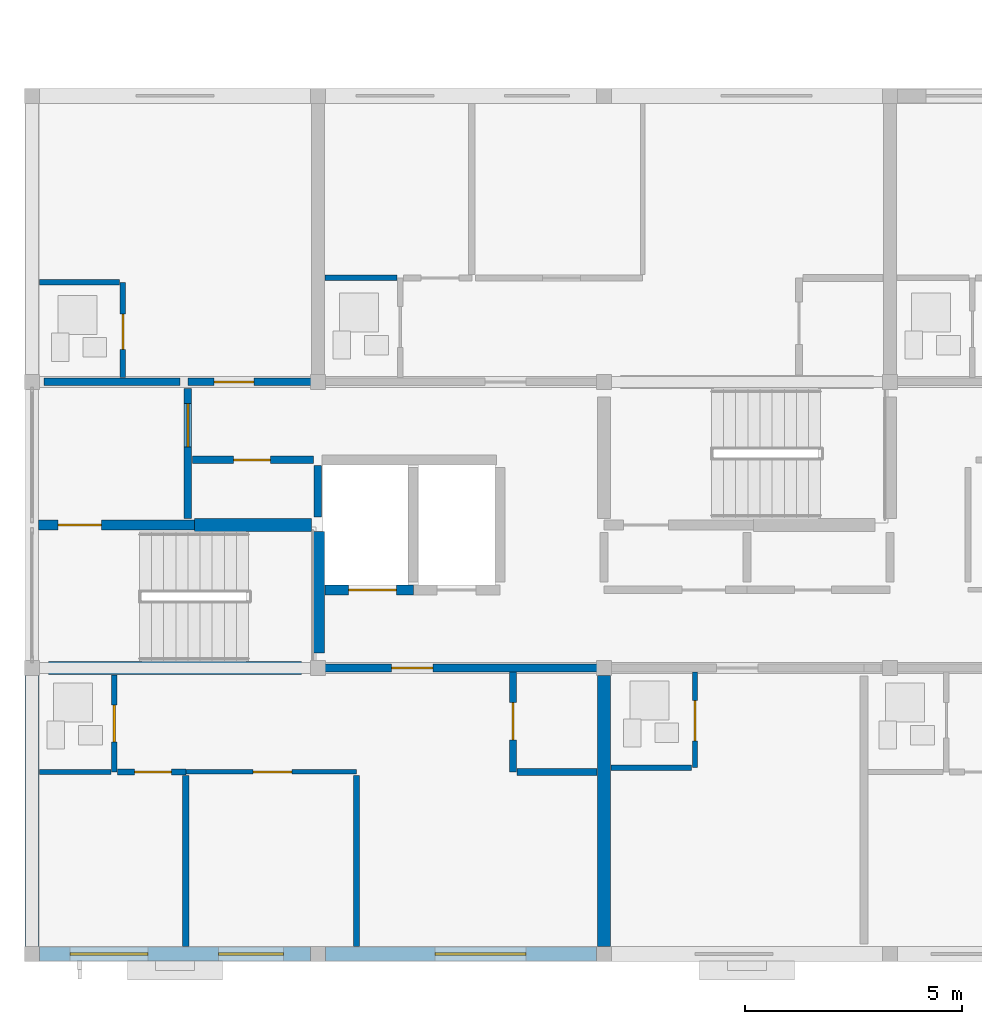
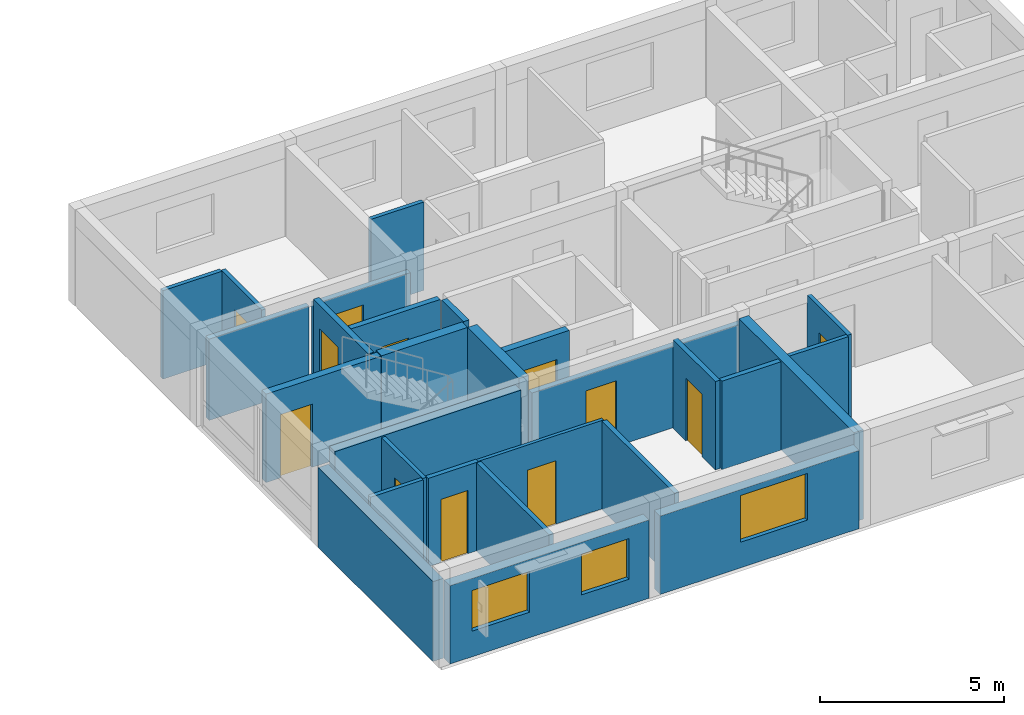
# One storey, part 27 of 53: 28 walls, 12 doors, 3 windows, 15 openings.
"""IFC4 building model written with IfcOpenShell, lengths in metres."""

import ifcopenshell
import ifcopenshell.guid

model = None  # the IFC model being written
_history = None  # IfcOwnerHistory: only IFC2X3 demands one
_inside = {}  # id of a spatial element -> (the spatial element, [elements in it])
_under = {}  # id of a project, library or spatial element -> (it, [spatial elements below it])
_declared = {}  # id of a project -> (the project, [libraries it declares])
_typed = {}  # id of a type object -> (the type object, [elements of that type])
_made_of = {}  # id of a material, layer set ... -> (it, [elements and type objects made of it])


def new_model(schema):
    """Start an empty IFC model of exactly this schema.

    Asked for "IFC4X3", IfcOpenShell would pick the latest addendum, in which some entities
    have other attributes; the version numbers below select the first issue.
    IFC2X3 requires an IfcOwnerHistory on every rooted entity: one is made here for all.
    """
    global model, _history
    if schema == "IFC4X3":
        model = ifcopenshell.file(schema_version=(4, 3, 0, 0))
    else:
        model = ifcopenshell.file(schema=schema)
    _inside.clear()
    _under.clear()
    _declared.clear()
    _typed.clear()
    _made_of.clear()
    _history = None
    if model.schema == "IFC2X3":
        org = make("IfcOrganization", Name="unknown")
        user = make(
            "IfcPersonAndOrganization",
            ThePerson=make("IfcPerson", FamilyName="unknown"),
            TheOrganization=org,
        )
        app = make(
            "IfcApplication",
            ApplicationDeveloper=org,
            Version="unknown",
            ApplicationFullName="unknown",
            ApplicationIdentifier="unknown",
        )
        _history = make(
            "IfcOwnerHistory",
            OwningUser=user,
            OwningApplication=app,
            ChangeAction="ADDED",
            CreationDate=0,
        )
    return model


def make(cls, **values):
    """One entity of the class cls with the attributes given. An attribute that is None is left unset."""
    return model.create_entity(
        cls, **{name: value for name, value in values.items() if value is not None}
    )


def rooted(cls, **values):
    """An entity with a GlobalId (a new one), such as an element, a storey or a relation."""
    return make(cls, GlobalId=ifcopenshell.guid.new(), OwnerHistory=_history, **values)


def si_unit(unit_type, name, prefix=None):
    """IfcSIUnit, for example si_unit("LENGTHUNIT", "METRE", prefix="MILLI")."""
    return make("IfcSIUnit", UnitType=unit_type, Prefix=prefix, Name=name)


def assignment(units):
    """IfcUnitAssignment: the units of a project."""
    return None if units is None else make("IfcUnitAssignment", Units=units)


def point(xyz):
    """IfcCartesianPoint."""
    return None if xyz is None else make("IfcCartesianPoint", Coordinates=xyz)


def direction(xyz):
    """IfcDirection."""
    return None if xyz is None else make("IfcDirection", DirectionRatios=xyz)


def frame(location, z_axis=None, x_axis=None):
    """IfcAxis2Placement3D, a coordinate frame: its origin and axes. An axis left out is left unset."""
    return make(
        "IfcAxis2Placement3D",
        Location=point(location),
        Axis=direction(z_axis),
        RefDirection=direction(x_axis),
    )


def frame_2d(location, x_axis=None):
    """IfcAxis2Placement2D, a coordinate frame in the plane: its origin and x axis."""
    return make(
        "IfcAxis2Placement2D", Location=point(location), RefDirection=direction(x_axis)
    )


def origin():
    """The frame at (0, 0, 0) with its axes left unset."""
    return frame((0.0, 0.0, 0.0))


def place(relative_to, where):
    """IfcLocalPlacement: puts the frame where relative to a parent placement (None: the world)."""
    return make(
        "IfcLocalPlacement", PlacementRelTo=relative_to, RelativePlacement=where
    )


def context(
    kind, dimensions, precision=None, world=None, true_north=None, identifier=None
):
    """IfcGeometricRepresentationContext, for example the 3D "Model" context."""
    return make(
        "IfcGeometricRepresentationContext",
        ContextIdentifier=identifier,
        ContextType=kind,
        CoordinateSpaceDimension=dimensions,
        Precision=precision,
        WorldCoordinateSystem=world,
        TrueNorth=true_north,
    )


def subcontext(parent, identifier, kind, view, scale=None):
    """IfcGeometricRepresentationSubContext, for example "Body" below "Model"."""
    return make(
        "IfcGeometricRepresentationSubContext",
        ContextIdentifier=identifier,
        ContextType=kind,
        ParentContext=parent,
        TargetScale=scale,
        TargetView=view,
    )


def project(units=None, contexts=None):
    """IfcProject with its units and contexts."""
    return rooted(
        "IfcProject",
        Name="project",
        RepresentationContexts=contexts,
        UnitsInContext=assignment(units),
    )


def spatial(cls, under=None, at=None, **own):
    """A site, building, storey or space (cls), placed at a placement, below another one or the project."""
    s = rooted(cls, ObjectPlacement=at, **own)
    if under is not None:
        _under.setdefault(under.id(), (under, []))[1].append(s)
    return s


def profile(cls, at=None, kind="AREA", **sizes):
    """A parametric profile (cls). Its sizes go by their IFC names, for example OverallWidth=200.0."""
    return make(cls, ProfileType=kind, Position=at, **sizes)


def rectangle(**sizes):
    """IfcRectangleProfileDef."""
    return profile("IfcRectangleProfileDef", **sizes)


def extrude(swept, where, along, depth):
    """IfcExtrudedAreaSolid: the profile swept, set in the frame where, extruded along a direction by depth."""
    return make(
        "IfcExtrudedAreaSolid",
        SweptArea=swept,
        Position=where,
        ExtrudedDirection=direction(along),
        Depth=depth,
    )


def shape(context_of_items, identifier, shape_type, items):
    """IfcShapeRepresentation: the items that make up one representation, for example the "Body"."""
    return make(
        "IfcShapeRepresentation",
        ContextOfItems=context_of_items,
        RepresentationIdentifier=identifier,
        RepresentationType=shape_type,
        Items=items,
    )


def material(Name=None, Category=None):
    """IfcMaterial."""
    return make("IfcMaterial", Name=Name, Category=Category)


def layer(
    of_material, thickness, ventilated=None, Name=None, Category=None, Priority=None
):
    """IfcMaterialLayer: one layer of a wall or slab, of a material (None: an air gap)."""
    return make(
        "IfcMaterialLayer",
        Material=of_material,
        LayerThickness=thickness,
        IsVentilated=ventilated,
        Name=Name,
        Category=Category,
        Priority=Priority,
    )


def layer_set(layers, Name=None):
    """IfcMaterialLayerSet."""
    return make("IfcMaterialLayerSet", MaterialLayers=layers, LayerSetName=Name)


def made_of(thing, what):
    """Note that an element or type object is made of a material, layer set ...; save() writes the relation."""
    if what is not None:
        _made_of.setdefault(what.id(), (what, []))[1].append(thing)
    return thing


def type_object(cls, material=None, **own):
    """A type object (cls), such as IfcWallType, which elements share."""
    return made_of(rooted(cls, **own), material)


def element(
    cls,
    number,
    at=None,
    inside=None,
    cuts=None,
    type_object=None,
    material=None,
    context=None,
    identifier="Body",
    shape_type=None,
    held_by="IfcProductDefinitionShape",
    body=None,
    shapes=None,
    **own,
):
    """One element of the class cls, such as IfcWall. Its Tag is "e" and its number.

    at: its placement. inside: the storey or other place that contains it. cuts: it is an
    opening in that element (IfcRelVoidsElement). A single representation is given by context,
    identifier, shape_type and body (its items); several are given by shapes. held_by: the class
    of the entity that holds the representations. save() writes the other relations.
    """
    e = rooted(cls, Tag="e%d" % number, ObjectPlacement=at, **own)
    if body is not None:
        shapes = [shape(context, identifier, shape_type, body)]
    if shapes is not None:
        e.Representation = make(held_by, Representations=shapes)
    if inside is not None:
        _inside.setdefault(inside.id(), (inside, []))[1].append(e)
    if cuts is not None:
        rooted(
            "IfcRelVoidsElement", RelatingBuildingElement=cuts, RelatedOpeningElement=e
        )
    if type_object is not None:
        _typed.setdefault(type_object.id(), (type_object, []))[1].append(e)
    return made_of(e, material)


def fill(opening, filler):
    """IfcRelFillsElement: the door or window that sits in an opening."""
    return rooted(
        "IfcRelFillsElement",
        RelatingOpeningElement=opening,
        RelatedBuildingElement=filler,
    )


def aggregate(whole, parts):
    """IfcRelAggregates: a whole, such as a stair, and the parts it consists of."""
    return rooted("IfcRelAggregates", RelatingObject=whole, RelatedObjects=parts)


def save(model, path):
    """Write the relations noted so far, then the file.

    IfcRelAggregates (storeys below a building ...), IfcRelContainedInSpatialStructure (elements
    in a storey), IfcRelDefinesByType, IfcRelAssociatesMaterial and IfcRelDeclares: one each for
    every whole, place, type object, material and project.
    """
    for whole, parts in _under.values():
        aggregate(whole, parts)
    for where, things in _inside.values():
        rooted(
            "IfcRelContainedInSpatialStructure",
            RelatedElements=things,
            RelatingStructure=where,
        )
    for kind, things in _typed.values():
        rooted("IfcRelDefinesByType", RelatedObjects=things, RelatingType=kind)
    for what, things in _made_of.values():
        rooted("IfcRelAssociatesMaterial", RelatedObjects=things, RelatingMaterial=what)
    for by, libraries in _declared.values():
        rooted("IfcRelDeclares", RelatingContext=by, RelatedDefinitions=libraries)
    model.write(path)


model = new_model("IFC4")

# Units and contexts
model_context = context("Model", 3, precision=1e-05, world=origin(), true_north=direction((0.0, 1.0)))
body_context = subcontext(model_context, "Body", "Model", "MODEL_VIEW")
ifc_project = project(units=[si_unit("LENGTHUNIT", "METRE"), si_unit("AREAUNIT", "SQUARE_METRE"), si_unit("VOLUMEUNIT", "CUBIC_METRE"), si_unit("PLANEANGLEUNIT", "RADIAN"), si_unit("MASSUNIT", "GRAM", prefix="KILO")], contexts=[model_context])

# Site, building, storey
site_placement = place(None, origin())
site = spatial("IfcSite", under=ifc_project, at=site_placement, CompositionType="ELEMENT")
building_placement = place(site_placement, origin())
building = spatial("IfcBuilding", under=site, at=building_placement, Name="Kernevlak Ridge Housing Community", CompositionType="ELEMENT")
storey_placement = place(building_placement, frame((0.0, 0.0, 24.39990234375)))
storey = spatial("IfcBuildingStorey", under=building, at=storey_placement, Name="L07", CompositionType="ELEMENT", Elevation=24.39990234375)

# Wall, openings, windows
ifc_material_1 = material(Name="Concrete block masonry M10", Category="masonry")
ifc_layer_1 = layer(ifc_material_1, 0.320068359375, Name="Concrete block masonry M10")
ifc_layer_set_1 = layer_set([ifc_layer_1], Name="Concrete block masonry M10")
wall_type_1 = type_object("IfcWallType", Name="EW-02", PredefinedType="STANDARD", material=ifc_layer_set_1)
wall_1_placement = place(storey_placement, frame((15.77490234375, 15.60009765625, 0.0), z_axis=(0.0, 0.0, 1.0), x_axis=(1.0, 0.0, 0.0)))
wall_1 = element("IfcWall", 1, at=wall_1_placement, inside=storey, type_object=wall_type_1, Name="Exterior wall EW-02 L07 809", PredefinedType="STANDARD", context=body_context, shape_type="SweptSolid", body=[
    extrude(rectangle(XDim=6.25, YDim=0.320068359375, at=frame_2d((3.125, 0.0))), origin(), (0.0, 0.0, 1.0), 2.60009765625),
])
opening_1_placement = place(wall_1_placement, frame((0.699951171875, 0.0, 0.85009765625)))
opening_1 = element("IfcOpeningElement", 2, at=opening_1_placement, cuts=wall_1, Name="Opening WT-03", PredefinedType="OPENING", context=body_context, shape_type="SweptSolid", body=[
    extrude(rectangle(XDim=1.800048828125, YDim=1.35009765625, at=frame_2d((0.89990234375, 0.675048828125))), frame((0.0, 0.169921875, 0.0), z_axis=(0.0, -1.0, 0.0), x_axis=(1.0, 0.0, 0.0)), (0.0, 0.0, 1.0), 0.340087890625),
])
opening_2_placement = place(wall_1_placement, frame((4.125, 0.0, 0.85009765625)))
opening_2 = element("IfcOpeningElement", 3, at=opening_2_placement, cuts=wall_1, Name="Opening WT-02", PredefinedType="OPENING", context=body_context, shape_type="SweptSolid", body=[
    extrude(rectangle(XDim=1.5, YDim=1.35009765625, at=frame_2d((0.75, 0.675048828125))), frame((0.0, 0.169921875, 0.0), z_axis=(0.0, -1.0, 0.0), x_axis=(1.0, 0.0, 0.0)), (0.0, 0.0, 1.0), 0.340087890625),
])
ifc_material_2 = material(Name="Aluminium EN AW-6060 anodised and laminated glass", Category="aluminium")
window_type_1 = type_object("IfcWindowType", Name="WT-02", PartitioningType="SINGLE_PANEL", PredefinedType="WINDOW", material=ifc_material_2)
window_1_placement = place(opening_2_placement, origin())
window_1 = element("IfcWindow", 4, at=window_1_placement, inside=storey, type_object=window_type_1, Name="Window WT-02 L07 673", OverallHeight=1.35009765625, OverallWidth=1.5, PartitioningType="SINGLE_PANEL", PredefinedType="WINDOW", context=body_context, shape_type="SweptSolid", body=[
    extrude(rectangle(XDim=1.5, YDim=1.35009765625, at=frame_2d((0.75, 0.675048828125))), frame((0.0, 0.030029296875, 0.0), z_axis=(0.0, -1.0, 0.0), x_axis=(1.0, 0.0, 0.0)), (0.0, 0.0, 1.0), 0.06005859375),
])
fill(opening_2, window_1)
window_type_2 = type_object("IfcWindowType", Name="WT-03", PartitioningType="SINGLE_PANEL", PredefinedType="WINDOW", material=ifc_material_2)
window_2_placement = place(opening_1_placement, origin())
window_2 = element("IfcWindow", 5, at=window_2_placement, inside=storey, type_object=window_type_2, Name="Window WT-03 L07 672", OverallHeight=1.35009765625, OverallWidth=1.800048828125, PartitioningType="SINGLE_PANEL", PredefinedType="WINDOW", context=body_context, shape_type="SweptSolid", body=[
    extrude(rectangle(XDim=1.800048828125, YDim=1.35009765625, at=frame_2d((0.89990234375, 0.675048828125))), frame((0.0, 0.030029296875, 0.0), z_axis=(0.0, -1.0, 0.0), x_axis=(1.0, 0.0, 0.0)), (0.0, 0.0, 1.0), 0.06005859375),
])
fill(opening_1, window_2)

# Wall, opening, window
wall_2_placement = place(storey_placement, frame((22.375, 15.60009765625, 0.0), z_axis=(0.0, 0.0, 1.0), x_axis=(1.0, 0.0, 0.0)))
wall_2 = element("IfcWall", 6, at=wall_2_placement, inside=storey, type_object=wall_type_1, Name="Exterior wall EW-02 L07 810", PredefinedType="STANDARD", context=body_context, shape_type="SweptSolid", body=[
    extrude(rectangle(XDim=6.25, YDim=0.320068359375, at=frame_2d((3.125, 0.0))), origin(), (0.0, 0.0, 1.0), 2.60009765625),
])
opening_3_placement = place(wall_2_placement, frame((2.52099609375, 0.0, 0.85009765625)))
opening_3 = element("IfcOpeningElement", 7, at=opening_3_placement, cuts=wall_2, Name="Opening WT-05", PredefinedType="OPENING", context=body_context, shape_type="SweptSolid", body=[
    extrude(rectangle(XDim=2.10009765625, YDim=1.550048828125, at=frame_2d((1.050048828125, 0.77490234375))), frame((0.0, 0.169921875, 0.0), z_axis=(0.0, -1.0, 0.0), x_axis=(1.0, 0.0, 0.0)), (0.0, 0.0, 1.0), 0.340087890625),
])
window_type_3 = type_object("IfcWindowType", Name="WT-05", PartitioningType="SINGLE_PANEL", PredefinedType="WINDOW", material=ifc_material_2)
window_3_placement = place(opening_3_placement, origin())
window_3 = element("IfcWindow", 8, at=window_3_placement, inside=storey, type_object=window_type_3, Name="Window WT-05 L07 674", OverallHeight=1.550048828125, OverallWidth=2.10009765625, PartitioningType="SINGLE_PANEL", PredefinedType="WINDOW", context=body_context, shape_type="SweptSolid", body=[
    extrude(rectangle(XDim=2.10009765625, YDim=1.550048828125, at=frame_2d((1.050048828125, 0.77490234375))), frame((0.0, 0.030029296875, 0.0), z_axis=(0.0, -1.0, 0.0), x_axis=(1.0, 0.0, 0.0)), (0.0, 0.0, 1.0), 0.06005859375),
])
fill(opening_3, window_3)

# Wall
wall_3_placement = place(storey_placement, frame((15.60009765625, 15.77490234375, 0.0), z_axis=(0.0, 0.0, 1.0), x_axis=(0.0, 1.0, 0.0)))
element("IfcWall", 9, at=wall_3_placement, inside=storey, type_object=wall_type_1, Name="Exterior wall EW-02 L07 819", PredefinedType="STANDARD", context=body_context, shape_type="SweptSolid", body=[
    extrude(rectangle(XDim=6.25, YDim=0.320068359375, at=frame_2d((3.125, 0.0))), origin(), (0.0, 0.0, 1.0), 2.650146484375),
])

# Wall, opening, door
ifc_material_3 = material(Name="Concrete C35/45", Category="concrete")
ifc_layer_2 = layer(ifc_material_3, 0.22509765625, Name="Concrete C35/45")
ifc_layer_set_2 = layer_set([ifc_layer_2], Name="Concrete C35/45")
wall_type_2 = type_object("IfcWallType", Name="PW-01", PredefinedType="STANDARD", material=ifc_layer_set_2)
wall_4_placement = place(storey_placement, frame((15.75, 25.5, 0.0), z_axis=(0.0, 0.0, 1.0), x_axis=(1.0, 0.0, 0.0)))
wall_4 = element("IfcWall", 10, at=wall_4_placement, inside=storey, type_object=wall_type_2, Name="Interior wall PW-01 WAL-INT-L07-3360", PredefinedType="STANDARD", context=body_context, shape_type="SweptSolid", body=[
    extrude(rectangle(XDim=3.60009765625, YDim=0.22509765625, at=frame_2d((1.800048828125, 0.0))), origin(), (0.0, 0.0, 1.0), 2.93505859375),
])
opening_4_placement = place(wall_4_placement, frame((0.449951171875, 0.0, 0.0)))
opening_4 = element("IfcOpeningElement", 11, at=opening_4_placement, cuts=wall_4, Name="Opening E705", PredefinedType="OPENING", context=body_context, shape_type="SweptSolid", body=[
    extrude(rectangle(XDim=1.0, YDim=2.10009765625, at=frame_2d((0.5, 1.050048828125))), frame((0.0, 0.12255859375, 0.0), z_axis=(0.0, -1.0, 0.0), x_axis=(1.0, 0.0, 0.0)), (0.0, 0.0, 1.0), 0.2451171875),
])
ifc_material_4 = material(Name="Fire-rated sheet steel leaf", Category="steel")
door_type_1 = type_object("IfcDoorType", Name="DT-05", OperationType="NOTDEFINED", PredefinedType="DOOR", material=ifc_material_4)
door_1_placement = place(opening_4_placement, origin())
door_1 = element("IfcDoor", 12, at=door_1_placement, inside=storey, type_object=door_type_1, Name="Block D Stair 1 fire door E705", OperationType="SINGLE_SWING_RIGHT", OverallHeight=2.10009765625, OverallWidth=1.0, PredefinedType="DOOR", context=body_context, shape_type="SweptSolid", body=[
    extrude(rectangle(XDim=1.0, YDim=2.10009765625, at=frame_2d((0.5, 1.050048828125))), frame((0.0, 0.02490234375, 0.0), z_axis=(0.0, -1.0, 0.0), x_axis=(1.0, 0.0, 0.0)), (0.0, 0.0, 1.0), 0.050048828125),
])
fill(opening_4, door_1)

wall_5_placement = place(storey_placement, frame((22.360107421875, 24.0, 0.0), z_axis=(0.0, 0.0, 1.0), x_axis=(1.0, 0.0, 0.0)))
wall_5 = element("IfcWall", 13, at=wall_5_placement, inside=storey, type_object=wall_type_2, Name="Interior wall PW-01 WAL-INT-L07-3364", PredefinedType="STANDARD", context=body_context, shape_type="SweptSolid", body=[
    extrude(rectangle(XDim=2.039794921875, YDim=0.22509765625, at=frame_2d((1.02001953125, 0.0))), origin(), (0.0, 0.0, 1.0), 2.93505859375),
])
opening_5_placement = place(wall_5_placement, frame((0.550048828125, 0.0, 0.0)))
opening_5 = element("IfcOpeningElement", 14, at=opening_5_placement, cuts=wall_5, Name="Opening LD92", PredefinedType="OPENING", context=body_context, shape_type="SweptSolid", body=[
    extrude(rectangle(XDim=1.10009765625, YDim=2.10009765625, at=frame_2d((0.550048828125, 1.050048828125))), frame((0.0, 0.12255859375, 0.0), z_axis=(0.0, -1.0, 0.0), x_axis=(1.0, 0.0, 0.0)), (0.0, 0.0, 1.0), 0.2451171875),
])
ifc_material_5 = material(Name="Stainless steel EN 1.4401", Category="steel")
door_type_2 = type_object("IfcDoorType", Name="DT-LD1", OperationType="DOUBLE_DOOR_SLIDING", PredefinedType="DOOR", material=ifc_material_5)
door_2_placement = place(opening_5_placement, origin())
door_2 = element("IfcDoor", 15, at=door_2_placement, inside=storey, type_object=door_type_2, Name="Lift LF-D1 landing door LD92", OperationType="DOUBLE_DOOR_SLIDING", OverallHeight=2.10009765625, OverallWidth=1.10009765625, PredefinedType="DOOR", context=body_context, shape_type="SweptSolid", body=[
    extrude(rectangle(XDim=1.10009765625, YDim=2.10009765625, at=frame_2d((0.550048828125, 1.050048828125))), frame((0.0, 0.02490234375, 0.0), z_axis=(0.0, -1.0, 0.0), x_axis=(1.0, 0.0, 0.0)), (0.0, 0.0, 1.0), 0.050048828125),
])
fill(opening_5, door_2)

ifc_layer_3 = layer(ifc_material_1, 0.175048828125, Name="Concrete block masonry M10")
ifc_layer_set_3 = layer_set([ifc_layer_3], Name="Concrete block masonry M10")
wall_type_3 = type_object("IfcWallType", Name="PW-02", PredefinedType="PARTITIONING", material=ifc_layer_set_3)
wall_6_placement = place(storey_placement, frame((19.199951171875, 25.64990234375, 0.0), z_axis=(0.0, 0.0, 1.0), x_axis=(0.0, 1.0, 0.0)))
wall_6 = element("IfcWall", 16, at=wall_6_placement, inside=storey, type_object=wall_type_3, Name="Interior wall PW-02 WAL-INT-L07-3361", PredefinedType="PARTITIONING", context=body_context, shape_type="SweptSolid", body=[
    extrude(rectangle(XDim=3.0, YDim=0.175048828125, at=frame_2d((1.5, 0.0))), origin(), (0.0, 0.0, 1.0), 2.93505859375),
])
opening_6_placement = place(wall_6_placement, frame((1.64990234375, 0.0, 0.0)))
opening_6 = element("IfcOpeningElement", 17, at=opening_6_placement, cuts=wall_6, Name="Opening E706", PredefinedType="OPENING", context=body_context, shape_type="SweptSolid", body=[
    extrude(rectangle(XDim=1.0, YDim=2.159912109375, at=frame_2d((0.5, 1.080078125))), frame((0.0, 0.097412109375, 0.0), z_axis=(0.0, -1.0, 0.0), x_axis=(1.0, 0.0, 0.0)), (0.0, 0.0, 1.0), 0.195068359375),
])
door_type_3 = type_object("IfcDoorType", Name="DT-15", OperationType="NOTDEFINED", PredefinedType="DOOR", material=ifc_material_4)
door_3_placement = place(opening_6_placement, origin())
door_3 = element("IfcDoor", 18, at=door_3_placement, inside=storey, type_object=door_type_3, Name="Block D Firefighting lobby 1 door E706", OperationType="SINGLE_SWING_LEFT", OverallHeight=2.159912109375, OverallWidth=1.0, PredefinedType="DOOR", context=body_context, shape_type="SweptSolid", body=[
    extrude(rectangle(XDim=1.0, YDim=2.159912109375, at=frame_2d((0.5, 1.080078125))), frame((0.0, 0.02490234375, 0.0), z_axis=(0.0, -1.0, 0.0), x_axis=(1.0, 0.0, 0.0)), (0.0, 0.0, 1.0), 0.050048828125),
])
fill(opening_6, door_3)

wall_7_placement = place(storey_placement, frame((19.300048828125, 27.0, 0.0), z_axis=(0.0, 0.0, 1.0), x_axis=(1.0, 0.0, 0.0)))
wall_7 = element("IfcWall", 19, at=wall_7_placement, inside=storey, type_object=wall_type_3, Name="Interior wall PW-02 WAL-INT-L07-3362", PredefinedType="PARTITIONING", context=body_context, shape_type="SweptSolid", body=[
    extrude(rectangle(XDim=2.800048828125, YDim=0.175048828125, at=frame_2d((1.39990234375, 0.0))), origin(), (0.0, 0.0, 1.0), 2.93505859375),
])
opening_7_placement = place(wall_7_placement, frame((0.949951171875, 0.0, 0.0)))
opening_7 = element("IfcOpeningElement", 20, at=opening_7_placement, cuts=wall_7, Name="Opening E707", PredefinedType="OPENING", context=body_context, shape_type="SweptSolid", body=[
    extrude(rectangle(XDim=0.85009765625, YDim=2.0, at=frame_2d((0.425048828125, 1.0))), frame((0.0, 0.097412109375, 0.0), z_axis=(0.0, -1.0, 0.0), x_axis=(1.0, 0.0, 0.0)), (0.0, 0.0, 1.0), 0.195068359375),
])
door_type_4 = type_object("IfcDoorType", Name="DT-07", OperationType="NOTDEFINED", PredefinedType="DOOR", material=ifc_material_4)
door_4_placement = place(opening_7_placement, origin())
door_4 = element("IfcDoor", 21, at=door_4_placement, inside=storey, type_object=door_type_4, Name="Block D Riser shaft door E707", OperationType="SINGLE_SWING_RIGHT", OverallHeight=2.0, OverallWidth=0.85009765625, PredefinedType="DOOR", context=body_context, shape_type="SweptSolid", body=[
    extrude(rectangle(XDim=0.85009765625, YDim=2.0, at=frame_2d((0.425048828125, 1.0))), frame((0.0, 0.02490234375, 0.0), z_axis=(0.0, -1.0, 0.0), x_axis=(1.0, 0.0, 0.0)), (0.0, 0.0, 1.0), 0.050048828125),
])
fill(opening_7, door_4)

# Wall
wall_8_placement = place(storey_placement, frame((22.199951171875, 25.679931640625, 0.0), z_axis=(0.0, 0.0, 1.0), x_axis=(0.0, 1.0, 0.0)))
element("IfcWall", 22, at=wall_8_placement, inside=storey, type_object=wall_type_3, Name="Interior wall PW-02 WAL-INT-L07-3363", PredefinedType="PARTITIONING", context=body_context, shape_type="SweptSolid", body=[
    extrude(rectangle(XDim=1.190185546875, YDim=0.175048828125, at=frame_2d((0.59521484375, 0.0))), origin(), (0.0, 0.0, 1.0), 2.93505859375),
])

# Wall, opening, door
wall_9_placement = place(storey_placement, frame((22.199951171875, 22.199951171875, 0.0), z_axis=(0.0, 0.0, 1.0), x_axis=(1.0, 0.0, 0.0)))
wall_9 = element("IfcWall", 23, at=wall_9_placement, inside=storey, type_object=wall_type_3, Name="Interior wall PW-02 WAL-INT-L07-3379", PredefinedType="PARTITIONING", context=body_context, shape_type="SweptSolid", body=[
    extrude(rectangle(XDim=6.60009765625, YDim=0.175048828125, at=frame_2d((3.300048828125, 0.0))), origin(), (0.0, 0.0, 1.0), 2.7001953125),
])
opening_8_placement = place(wall_9_placement, frame((1.699951171875, 0.0, 0.0)))
opening_8 = element("IfcOpeningElement", 24, at=opening_8_placement, cuts=wall_9, Name="Opening E712", PredefinedType="OPENING", context=body_context, shape_type="SweptSolid", body=[
    extrude(rectangle(XDim=0.9599609375, YDim=2.179931640625, at=frame_2d((0.47998046875, 1.08984375))), frame((0.0, 0.097412109375, 0.0), z_axis=(0.0, -1.0, 0.0), x_axis=(1.0, 0.0, 0.0)), (0.0, 0.0, 1.0), 0.195068359375),
])
ifc_material_6 = material(Name="Hardwood timber solid-core fire leaf", Category="wood")
door_type_5 = type_object("IfcDoorType", Name="DT-29", OperationType="NOTDEFINED", PredefinedType="DOOR", material=ifc_material_6)
door_5_placement = place(opening_8_placement, origin())
door_5 = element("IfcDoor", 25, at=door_5_placement, inside=storey, type_object=door_type_5, Name="Flat D0711 entrance fire door E712", OperationType="SINGLE_SWING_LEFT", OverallHeight=2.179931640625, OverallWidth=0.9599609375, PredefinedType="DOOR", context=body_context, shape_type="SweptSolid", body=[
    extrude(rectangle(XDim=0.9599609375, YDim=2.179931640625, at=frame_2d((0.47998046875, 1.08984375))), frame((0.0, 0.02490234375, 0.0), z_axis=(0.0, -1.0, 0.0), x_axis=(1.0, 0.0, 0.0)), (0.0, 0.0, 1.0), 0.050048828125),
])
fill(opening_8, door_5)

# Wall
wall_10_placement = place(storey_placement, frame((15.8798828125, 28.800048828125, 0.0), z_axis=(0.0, 0.0, 1.0), x_axis=(1.0, 0.0, 0.0)))
element("IfcWall", 26, at=wall_10_placement, inside=storey, type_object=wall_type_3, Name="Interior wall PW-02 WAL-INT-L07-3399", PredefinedType="PARTITIONING", context=body_context, shape_type="SweptSolid", body=[
    extrude(rectangle(XDim=3.14013671875, YDim=0.175048828125, at=frame_2d((1.570068359375, 0.0))), origin(), (0.0, 0.0, 1.0), 2.7001953125),
])

# Wall, opening, door
wall_11_placement = place(storey_placement, frame((19.199951171875, 28.800048828125, 0.0), z_axis=(0.0, 0.0, 1.0), x_axis=(1.0, 0.0, 0.0)))
wall_11 = element("IfcWall", 27, at=wall_11_placement, inside=storey, type_object=wall_type_3, Name="Interior wall PW-02 WAL-INT-L07-3400", PredefinedType="PARTITIONING", context=body_context, shape_type="SweptSolid", body=[
    extrude(rectangle(XDim=3.0, YDim=0.175048828125, at=frame_2d((1.5, 0.0))), origin(), (0.0, 0.0, 1.0), 2.7001953125),
])
opening_9_placement = place(wall_11_placement, frame((0.60009765625, 0.0, 0.0)))
opening_9 = element("IfcOpeningElement", 28, at=opening_9_placement, cuts=wall_11, Name="Opening E723", PredefinedType="OPENING", context=body_context, shape_type="SweptSolid", body=[
    extrude(rectangle(XDim=0.919921875, YDim=2.139892578125, at=frame_2d((0.4599609375, 1.06982421875))), frame((0.0, 0.097412109375, 0.0), z_axis=(0.0, -1.0, 0.0), x_axis=(1.0, 0.0, 0.0)), (0.0, 0.0, 1.0), 0.195068359375),
])
door_type_6 = type_object("IfcDoorType", Name="DT-20", OperationType="NOTDEFINED", PredefinedType="DOOR", material=ifc_material_6)
door_6_placement = place(opening_9_placement, origin())
door_6 = element("IfcDoor", 29, at=door_6_placement, inside=storey, type_object=door_type_6, Name="Flat D0721 entrance fire door E723", OperationType="SINGLE_SWING_RIGHT", OverallHeight=2.139892578125, OverallWidth=0.919921875, PredefinedType="DOOR", context=body_context, shape_type="SweptSolid", body=[
    extrude(rectangle(XDim=0.919921875, YDim=2.139892578125, at=frame_2d((0.4599609375, 1.06982421875))), frame((0.0, 0.02490234375, 0.0), z_axis=(0.0, -1.0, 0.0), x_axis=(1.0, 0.0, 0.0)), (0.0, 0.0, 1.0), 0.050048828125),
])
fill(opening_9, door_6)

ifc_layer_4 = layer(ifc_material_1, 0.14501953125, Name="Concrete block masonry M10")
ifc_layer_set_4 = layer_set([ifc_layer_4], Name="Concrete block masonry M10")
wall_type_4 = type_object("IfcWallType", Name="PW-03", PredefinedType="PARTITIONING", material=ifc_layer_set_4)
wall_12_placement = place(storey_placement, frame((17.572509765625, 19.800048828125, 0.0), z_axis=(0.0, 0.0, 1.0), x_axis=(1.0, 0.0, 0.0)))
wall_12 = element("IfcWall", 30, at=wall_12_placement, inside=storey, type_object=wall_type_4, Name="Interior wall PW-03 WAL-INT-L07-3384", PredefinedType="PARTITIONING", context=body_context, shape_type="SweptSolid", body=[
    extrude(rectangle(XDim=1.577392578125, YDim=0.14501953125, at=frame_2d((0.78857421875, 0.0))), origin(), (0.0, 0.0, 1.0), 2.93505859375),
])
opening_10_placement = place(wall_12_placement, frame((0.39990234375, 0.0, 0.0)))
opening_10 = element("IfcOpeningElement", 31, at=opening_10_placement, cuts=wall_12, Name="Opening E715", PredefinedType="OPENING", context=body_context, shape_type="SweptSolid", body=[
    extrude(rectangle(XDim=0.85009765625, YDim=2.10009765625, at=frame_2d((0.425048828125, 1.050048828125))), frame((0.0, 0.08251953125, 0.0), z_axis=(0.0, -1.0, 0.0), x_axis=(1.0, 0.0, 0.0)), (0.0, 0.0, 1.0), 0.1650390625),
])
ifc_material_7 = material(Name="Hardwood timber leaf", Category="wood")
door_type_7 = type_object("IfcDoorType", Name="DT-03", OperationType="NOTDEFINED", PredefinedType="DOOR", material=ifc_material_7)
door_7_placement = place(opening_10_placement, origin())
door_7 = element("IfcDoor", 32, at=door_7_placement, inside=storey, type_object=door_type_7, Name="Flat D0711 bedroom door E715", OperationType="SINGLE_SWING_RIGHT", OverallHeight=2.10009765625, OverallWidth=0.85009765625, PredefinedType="DOOR", context=body_context, shape_type="SweptSolid", body=[
    extrude(rectangle(XDim=0.85009765625, YDim=2.10009765625, at=frame_2d((0.425048828125, 1.050048828125))), frame((0.0, 0.02490234375, 0.0), z_axis=(0.0, -1.0, 0.0), x_axis=(1.0, 0.0, 0.0)), (0.0, 0.0, 1.0), 0.050048828125),
])
fill(opening_10, door_7)

# Walls
wall_13_placement = place(storey_placement, frame((19.14990234375, 19.717529296875, 0.0), z_axis=(0.0, 0.0, 1.0), x_axis=(0.0, -1.0, 0.0)))
element("IfcWall", 33, at=wall_13_placement, inside=storey, type_object=wall_type_4, Name="Interior wall PW-03 WAL-INT-L07-3385", PredefinedType="PARTITIONING", context=body_context, shape_type="SweptSolid", body=[
    extrude(rectangle(XDim=3.947509765625, YDim=0.14501953125, at=frame_2d((1.9736328125, 0.0))), origin(), (0.0, 0.0, 1.0), 2.93505859375),
])
wall_14_placement = place(storey_placement, frame((23.092041015625, 19.719970703125, 0.0), z_axis=(0.0, 0.0, 1.0), x_axis=(0.0, -1.0, 0.0)))
element("IfcWall", 34, at=wall_14_placement, inside=storey, type_object=wall_type_4, Name="Interior wall PW-03 WAL-INT-L07-3387", PredefinedType="PARTITIONING", context=body_context, shape_type="SweptSolid", body=[
    extrude(rectangle(XDim=3.949951171875, YDim=0.14501953125, at=frame_2d((1.97509765625, 0.0))), origin(), (0.0, 0.0, 1.0), 2.93505859375),
])

# Wall, opening, door
ifc_material_8 = material(Name="Gypsum plasterboard EN 520", Category="gypsum")
ifc_layer_5 = layer(ifc_material_8, 0.125, Name="Gypsum plasterboard EN 520")
ifc_layer_set_5 = layer_set([ifc_layer_5], Name="Gypsum plasterboard EN 520")
wall_type_5 = type_object("IfcWallType", Name="PW-04", PredefinedType="PARTITIONING", material=ifc_layer_set_5)
wall_15_placement = place(storey_placement, frame((17.5, 22.0400390625, 0.0), z_axis=(0.0, 0.0, 1.0), x_axis=(0.0, -1.0, 0.0)))
wall_15 = element("IfcWall", 35, at=wall_15_placement, inside=storey, type_object=wall_type_5, Name="Interior wall PW-04 WAL-INT-L07-3380", PredefinedType="PARTITIONING", context=body_context, shape_type="SweptSolid", body=[
    extrude(rectangle(XDim=2.239990234375, YDim=0.125, at=frame_2d((1.1201171875, 0.0))), origin(), (0.0, 0.0, 1.0), 2.93505859375),
])
opening_11_placement = place(wall_15_placement, frame((0.699951171875, 0.0, 0.0)))
opening_11 = element("IfcOpeningElement", 36, at=opening_11_placement, cuts=wall_15, Name="Opening E713", PredefinedType="OPENING", context=body_context, shape_type="SweptSolid", body=[
    extrude(rectangle(XDim=0.85009765625, YDim=2.0400390625, at=frame_2d((0.425048828125, 1.02001953125))), frame((0.0, 0.072509765625, 0.0), z_axis=(0.0, -1.0, 0.0), x_axis=(1.0, 0.0, 0.0)), (0.0, 0.0, 1.0), 0.14501953125),
])
ifc_material_9 = material(Name="Hardwood timber moisture-resistant leaf", Category="wood")
door_type_8 = type_object("IfcDoorType", Name="DT-04", OperationType="NOTDEFINED", PredefinedType="DOOR", material=ifc_material_9)
door_8_placement = place(opening_11_placement, origin())
door_8 = element("IfcDoor", 37, at=door_8_placement, inside=storey, type_object=door_type_8, Name="Flat D0711 bathroom door E713", OperationType="SINGLE_SWING_RIGHT", OverallHeight=2.0400390625, OverallWidth=0.85009765625, PredefinedType="DOOR", context=body_context, shape_type="SweptSolid", body=[
    extrude(rectangle(XDim=0.85009765625, YDim=2.0400390625, at=frame_2d((0.425048828125, 1.02001953125))), frame((0.0, 0.02490234375, 0.0), z_axis=(0.0, -1.0, 0.0), x_axis=(1.0, 0.0, 0.0)), (0.0, 0.0, 1.0), 0.050048828125),
])
fill(opening_11, door_8)

# Wall
wall_16_placement = place(storey_placement, frame((15.77001953125, 19.800048828125, 0.0), z_axis=(0.0, 0.0, 1.0), x_axis=(1.0, 0.0, 0.0)))
element("IfcWall", 38, at=wall_16_placement, inside=storey, type_object=wall_type_5, Name="Interior wall PW-04 WAL-INT-L07-3381", PredefinedType="PARTITIONING", context=body_context, shape_type="SweptSolid", body=[
    extrude(rectangle(XDim=1.64990234375, YDim=0.125, at=frame_2d((0.824951171875, 0.0))), origin(), (0.0, 0.0, 1.0), 2.93505859375),
])

# Wall, opening, door
wall_17_placement = place(storey_placement, frame((30.89990234375, 22.1025390625, 0.0), z_axis=(0.0, 0.0, 1.0), x_axis=(0.0, -1.0, 0.0)))
wall_17 = element("IfcWall", 39, at=wall_17_placement, inside=storey, type_object=wall_type_5, Name="Interior wall PW-04 WAL-INT-L07-3389", PredefinedType="PARTITIONING", context=body_context, shape_type="SweptSolid", body=[
    extrude(rectangle(XDim=2.20263671875, YDim=0.125, at=frame_2d((1.101318359375, 0.0))), origin(), (0.0, 0.0, 1.0), 2.93505859375),
])
opening_12_placement = place(wall_17_placement, frame((0.64990234375, 0.0, 0.0)))
opening_12 = element("IfcOpeningElement", 40, at=opening_12_placement, cuts=wall_17, Name="Opening E718", PredefinedType="OPENING", context=body_context, shape_type="SweptSolid", body=[
    extrude(rectangle(XDim=0.93994140625, YDim=2.080078125, at=frame_2d((0.469970703125, 1.0400390625))), frame((0.0, 0.072509765625, 0.0), z_axis=(0.0, -1.0, 0.0), x_axis=(1.0, 0.0, 0.0)), (0.0, 0.0, 1.0), 0.14501953125),
])
door_type_9 = type_object("IfcDoorType", Name="DT-23", OperationType="NOTDEFINED", PredefinedType="DOOR", material=ifc_material_9)
door_9_placement = place(opening_12_placement, origin())
door_9 = element("IfcDoor", 41, at=door_9_placement, inside=storey, type_object=door_type_9, Name="Flat D0712 bathroom door E718", OperationType="SINGLE_SWING_LEFT", OverallHeight=2.080078125, OverallWidth=0.93994140625, PredefinedType="DOOR", context=body_context, shape_type="SweptSolid", body=[
    extrude(rectangle(XDim=0.93994140625, YDim=2.080078125, at=frame_2d((0.469970703125, 1.0400390625))), frame((0.0, 0.02490234375, 0.0), z_axis=(0.0, -1.0, 0.0), x_axis=(1.0, 0.0, 0.0)), (0.0, 0.0, 1.0), 0.050048828125),
])
fill(opening_12, door_9)

# Wall
wall_18_placement = place(storey_placement, frame((28.9599609375, 19.89990234375, 0.0), z_axis=(0.0, 0.0, 1.0), x_axis=(1.0, 0.0, 0.0)))
element("IfcWall", 42, at=wall_18_placement, inside=storey, type_object=wall_type_5, Name="Interior wall PW-04 WAL-INT-L07-3390", PredefinedType="PARTITIONING", context=body_context, shape_type="SweptSolid", body=[
    extrude(rectangle(XDim=1.860107421875, YDim=0.125, at=frame_2d((0.93017578125, 0.0))), origin(), (0.0, 0.0, 1.0), 2.93505859375),
])

# Wall, opening, door
wall_19_placement = place(storey_placement, frame((17.699951171875, 28.8974609375, 0.0), z_axis=(0.0, 0.0, 1.0), x_axis=(0.0, 1.0, 0.0)))
wall_19 = element("IfcWall", 43, at=wall_19_placement, inside=storey, type_object=wall_type_5, Name="Interior wall PW-04 WAL-INT-L07-3401", PredefinedType="PARTITIONING", context=body_context, shape_type="SweptSolid", body=[
    extrude(rectangle(XDim=2.20263671875, YDim=0.125, at=frame_2d((1.101318359375, 0.0))), origin(), (0.0, 0.0, 1.0), 2.93505859375),
])
opening_13_placement = place(wall_19_placement, frame((0.64990234375, 0.0, 0.0)))
opening_13 = element("IfcOpeningElement", 44, at=opening_13_placement, cuts=wall_19, Name="Opening E724", PredefinedType="OPENING", context=body_context, shape_type="SweptSolid", body=[
    extrude(rectangle(XDim=0.820068359375, YDim=2.050048828125, at=frame_2d((0.41015625, 1.02490234375))), frame((0.0, 0.072509765625, 0.0), z_axis=(0.0, -1.0, 0.0), x_axis=(1.0, 0.0, 0.0)), (0.0, 0.0, 1.0), 0.14501953125),
])
door_type_10 = type_object("IfcDoorType", Name="DT-30", OperationType="NOTDEFINED", PredefinedType="DOOR", material=ifc_material_9)
door_10_placement = place(opening_13_placement, origin())
door_10 = element("IfcDoor", 45, at=door_10_placement, inside=storey, type_object=door_type_10, Name="Flat D0721 bathroom door E724", OperationType="SINGLE_SWING_LEFT", OverallHeight=2.050048828125, OverallWidth=0.820068359375, PredefinedType="DOOR", context=body_context, shape_type="SweptSolid", body=[
    extrude(rectangle(XDim=0.820068359375, YDim=2.050048828125, at=frame_2d((0.41015625, 1.02490234375))), frame((0.0, 0.02490234375, 0.0), z_axis=(0.0, -1.0, 0.0), x_axis=(1.0, 0.0, 0.0)), (0.0, 0.0, 1.0), 0.050048828125),
])
fill(opening_13, door_10)

# Walls
wall_20_placement = place(storey_placement, frame((15.77001953125, 31.10009765625, 0.0), z_axis=(0.0, 0.0, 1.0), x_axis=(1.0, 0.0, 0.0)))
element("IfcWall", 46, at=wall_20_placement, inside=storey, type_object=wall_type_5, Name="Interior wall PW-04 WAL-INT-L07-3402", PredefinedType="PARTITIONING", context=body_context, shape_type="SweptSolid", body=[
    extrude(rectangle(XDim=1.85009765625, YDim=0.125, at=frame_2d((0.925048828125, 0.0))), origin(), (0.0, 0.0, 1.0), 2.93505859375),
])
wall_21_placement = place(storey_placement, frame((22.360107421875, 31.199951171875, 0.0), z_axis=(0.0, 0.0, 1.0), x_axis=(1.0, 0.0, 0.0)))
element("IfcWall", 47, at=wall_21_placement, inside=storey, type_object=wall_type_5, Name="Interior wall PW-04 WAL-INT-L07-3405", PredefinedType="PARTITIONING", context=body_context, shape_type="SweptSolid", body=[
    extrude(rectangle(XDim=1.659912109375, YDim=0.125, at=frame_2d((0.830078125, 0.0))), origin(), (0.0, 0.0, 1.0), 2.93505859375),
])

# Wall, opening, door
ifc_layer_6 = layer(ifc_material_8, 0.155029296875, Name="Gypsum plasterboard EN 520")
ifc_layer_set_6 = layer_set([ifc_layer_6], Name="Gypsum plasterboard EN 520")
wall_type_6 = type_object("IfcWallType", Name="PW-05", PredefinedType="PARTITIONING", material=ifc_layer_set_6)
wall_22_placement = place(storey_placement, frame((26.699951171875, 22.1025390625, 0.0), z_axis=(0.0, 0.0, 1.0), x_axis=(0.0, -1.0, 0.0)))
wall_22 = element("IfcWall", 48, at=wall_22_placement, inside=storey, type_object=wall_type_6, Name="Interior wall PW-05 WAL-INT-L07-3382", PredefinedType="PARTITIONING", context=body_context, shape_type="SweptSolid", body=[
    extrude(rectangle(XDim=2.302490234375, YDim=0.155029296875, at=frame_2d((1.1513671875, 0.0))), origin(), (0.0, 0.0, 1.0), 2.93505859375),
])
opening_14_placement = place(wall_22_placement, frame((0.699951171875, 0.0, 0.0)))
opening_14 = element("IfcOpeningElement", 49, at=opening_14_placement, cuts=wall_22, Name="Opening E714", PredefinedType="OPENING", context=body_context, shape_type="SweptSolid", body=[
    extrude(rectangle(XDim=0.8701171875, YDim=2.080078125, at=frame_2d((0.43505859375, 1.0400390625))), frame((0.0, 0.08740234375, 0.0), z_axis=(0.0, -1.0, 0.0), x_axis=(1.0, 0.0, 0.0)), (0.0, 0.0, 1.0), 0.175048828125),
])
door_type_11 = type_object("IfcDoorType", Name="DT-32", OperationType="NOTDEFINED", PredefinedType="DOOR", material=ifc_material_7)
door_11_placement = place(opening_14_placement, origin())
door_11 = element("IfcDoor", 50, at=door_11_placement, inside=storey, type_object=door_type_11, Name="Flat D0711 kitchen door E714", OperationType="SINGLE_SWING_LEFT", OverallHeight=2.080078125, OverallWidth=0.8701171875, PredefinedType="DOOR", context=body_context, shape_type="SweptSolid", body=[
    extrude(rectangle(XDim=0.8701171875, YDim=2.080078125, at=frame_2d((0.43505859375, 1.0400390625))), frame((0.0, 0.02490234375, 0.0), z_axis=(0.0, -1.0, 0.0), x_axis=(1.0, 0.0, 0.0)), (0.0, 0.0, 1.0), 0.050048828125),
])
fill(opening_14, door_11)

# Wall
wall_23_placement = place(storey_placement, frame((26.78759765625, 19.800048828125, 0.0), z_axis=(0.0, 0.0, 1.0), x_axis=(1.0, 0.0, 0.0)))
element("IfcWall", 51, at=wall_23_placement, inside=storey, type_object=wall_type_6, Name="Interior wall PW-05 WAL-INT-L07-3383", PredefinedType="PARTITIONING", context=body_context, shape_type="SweptSolid", body=[
    extrude(rectangle(XDim=1.852294921875, YDim=0.155029296875, at=frame_2d((0.92626953125, 0.0))), origin(), (0.0, 0.0, 1.0), 2.93505859375),
])

# Wall, opening, door
ifc_layer_7 = layer(ifc_material_8, 0.10498046875, Name="Gypsum plasterboard EN 520")
ifc_layer_set_7 = layer_set([ifc_layer_7], Name="Gypsum plasterboard EN 520")
wall_type_7 = type_object("IfcWallType", Name="PW-06", PredefinedType="PARTITIONING", material=ifc_layer_set_7)
wall_24_placement = place(storey_placement, frame((19.14990234375, 19.800048828125, 0.0), z_axis=(0.0, 0.0, 1.0), x_axis=(1.0, 0.0, 0.0)))
wall_24 = element("IfcWall", 52, at=wall_24_placement, inside=storey, type_object=wall_type_7, Name="Interior wall PW-06 WAL-INT-L07-3386", PredefinedType="PARTITIONING", context=body_context, shape_type="SweptSolid", body=[
    extrude(rectangle(XDim=3.942138671875, YDim=0.10498046875, at=frame_2d((1.97119140625, 0.0))), origin(), (0.0, 0.0, 1.0), 2.93505859375),
])
opening_15_placement = place(wall_24_placement, frame((1.5458984375, 0.0, 0.0)))
opening_15 = element("IfcOpeningElement", 53, at=opening_15_placement, cuts=wall_24, Name="Opening E716", PredefinedType="OPENING", context=body_context, shape_type="SweptSolid", body=[
    extrude(rectangle(XDim=0.89990234375, YDim=2.10009765625, at=frame_2d((0.449951171875, 1.050048828125))), frame((0.0, 0.0625, 0.0), z_axis=(0.0, -1.0, 0.0), x_axis=(1.0, 0.0, 0.0)), (0.0, 0.0, 1.0), 0.125),
])
door_type_12 = type_object("IfcDoorType", Name="DT-21", OperationType="NOTDEFINED", PredefinedType="DOOR", material=ifc_material_7)
door_12_placement = place(opening_15_placement, origin())
door_12 = element("IfcDoor", 54, at=door_12_placement, inside=storey, type_object=door_type_12, Name="Flat D0711 bedroom door E716", OperationType="SINGLE_SWING_LEFT", OverallHeight=2.10009765625, OverallWidth=0.89990234375, PredefinedType="DOOR", context=body_context, shape_type="SweptSolid", body=[
    extrude(rectangle(XDim=0.89990234375, YDim=2.10009765625, at=frame_2d((0.449951171875, 1.050048828125))), frame((0.0, 0.02490234375, 0.0), z_axis=(0.0, -1.0, 0.0), x_axis=(1.0, 0.0, 0.0)), (0.0, 0.0, 1.0), 0.050048828125),
])
fill(opening_15, door_12)

# Walls
ifc_material_10 = material(Name="Concrete C40/50", Category="concrete")
ifc_layer_8 = layer(ifc_material_10, 0.300048828125, Name="Concrete C40/50")
ifc_layer_set_8 = layer_set([ifc_layer_8], Name="Concrete C40/50")
wall_type_8 = type_object("IfcWallType", Name="SW-02", PredefinedType="SHEAR", material=ifc_layer_set_8)
wall_25_placement = place(storey_placement, frame((15.97998046875, 22.199951171875, 0.0), z_axis=(0.0, 0.0, 1.0), x_axis=(1.0, 0.0, 0.0)))
element("IfcWall", 55, at=wall_25_placement, inside=storey, type_object=wall_type_8, Name="Shear wall SW-02 Block D L07 577", PredefinedType="SHEAR", context=body_context, shape_type="SweptSolid", body=[
    extrude(rectangle(XDim=5.840087890625, YDim=0.300048828125, at=frame_2d((2.919921875, 0.0))), origin(), (0.0, 0.0, 1.0), 2.97021484375),
])
wall_26_placement = place(storey_placement, frame((19.35009765625, 25.5, 0.0), z_axis=(0.0, 0.0, 1.0), x_axis=(1.0, 0.0, 0.0)))
element("IfcWall", 56, at=wall_26_placement, inside=storey, type_object=wall_type_8, Name="Shear wall SW-02 Block D L07 578", PredefinedType="SHEAR", context=body_context, shape_type="SweptSolid", body=[
    extrude(rectangle(XDim=2.699951171875, YDim=0.300048828125, at=frame_2d((1.35009765625, 0.0))), origin(), (0.0, 0.0, 1.0), 2.97021484375),
])
wall_27_placement = place(storey_placement, frame((22.199951171875, 22.550048828125, 0.0), z_axis=(0.0, 0.0, 1.0), x_axis=(0.0, 1.0, 0.0)))
element("IfcWall", 57, at=wall_27_placement, inside=storey, type_object=wall_type_8, Name="Shear wall SW-02 Block D L07 579", PredefinedType="SHEAR", context=body_context, shape_type="SweptSolid", body=[
    extrude(rectangle(XDim=2.800048828125, YDim=0.300048828125, at=frame_2d((1.39990234375, 0.0))), origin(), (0.0, 0.0, 1.0), 2.97021484375),
])
wall_28_placement = place(storey_placement, frame((28.800048828125, 15.77490234375, 0.0), z_axis=(0.0, 0.0, 1.0), x_axis=(0.0, 1.0, 0.0)))
element("IfcWall", 58, at=wall_28_placement, inside=storey, type_object=wall_type_8, Name="Shear wall SW-02 Block D L07 584", PredefinedType="SHEAR", context=body_context, shape_type="SweptSolid", body=[
    extrude(rectangle(XDim=6.25, YDim=0.300048828125, at=frame_2d((3.125, 0.0))), origin(), (0.0, 0.0, 1.0), 2.97021484375),
])

save(model, "model.ifc")
